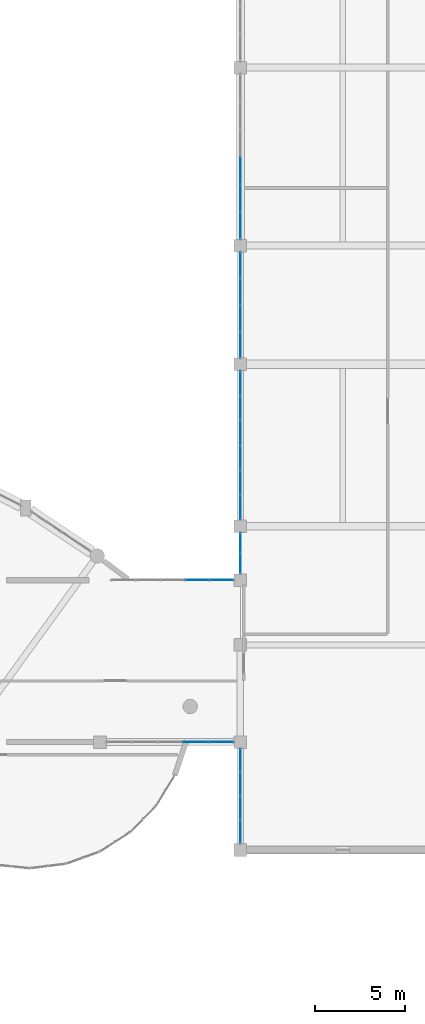
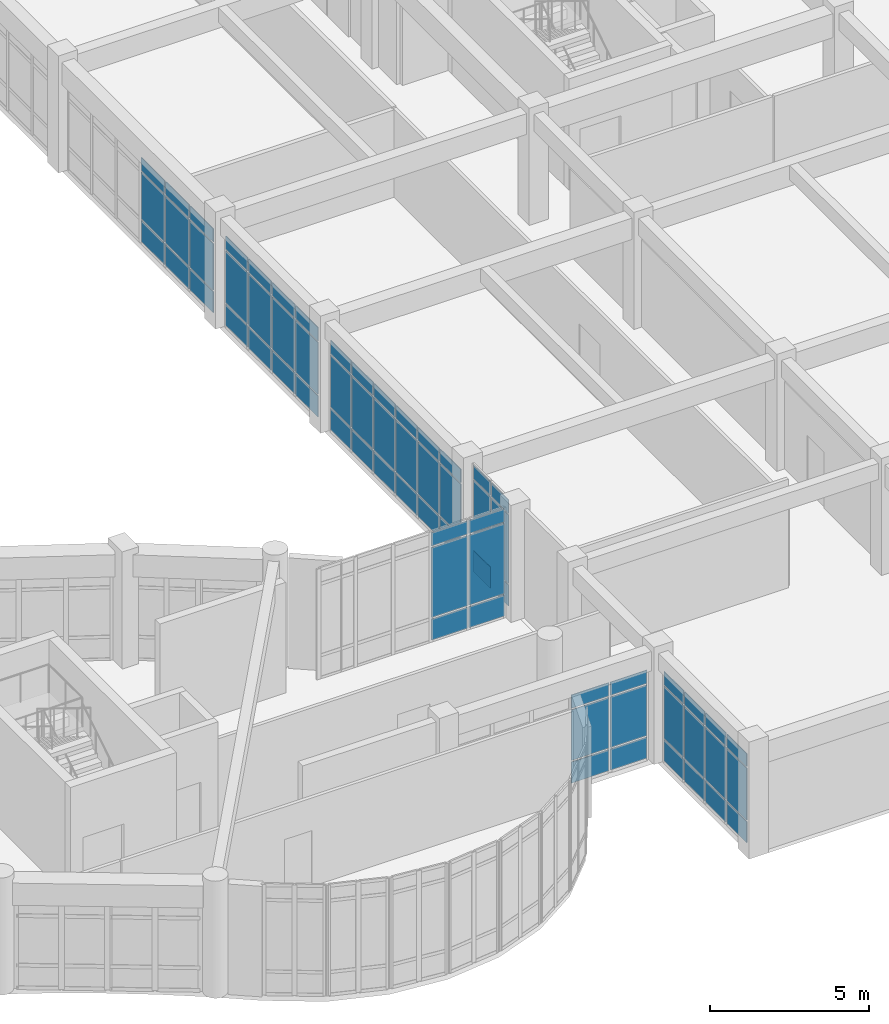
# One storey, part 40 of 57: 69 plates, 7 elements without a shape of their own.
"""IFC4 building model written with IfcOpenShell, lengths in metres."""

from ifc_helpers import new_model, si_unit, direction, frame, origin, origin_2d, place, context, subcontext, project, spatial, rectangle, extrude, material, layer, layer_set, type_object, element, aggregate, save


model = new_model("IFC4")

# Units and contexts
model_context = context("Model", 3, precision=1e-05, world=origin(), true_north=direction((0.0, 1.0)))
body_context = subcontext(model_context, "Body", "Model", "MODEL_VIEW")
ifc_project = project(units=[si_unit("LENGTHUNIT", "METRE"), si_unit("AREAUNIT", "SQUARE_METRE"), si_unit("VOLUMEUNIT", "CUBIC_METRE"), si_unit("PLANEANGLEUNIT", "RADIAN"), si_unit("MASSUNIT", "GRAM", prefix="KILO")], contexts=[model_context])

# Site, building, storey
site_placement = place(None, origin())
site = spatial("IfcSite", under=ifc_project, at=site_placement, CompositionType="ELEMENT")
building_placement = place(site_placement, origin())
building = spatial("IfcBuilding", under=site, at=building_placement, Name="Miralva Faculty of Natural Sciences", CompositionType="ELEMENT")
storey_placement = place(building_placement, frame((0.0, 0.0, 15.0)))
storey = spatial("IfcBuildingStorey", under=building, at=storey_placement, Name="L03", CompositionType="ELEMENT", Elevation=15.0)

# Curtain wall, plates
ifc_material = material(Name="Laminated solar-control glass", Category="glass")
ifc_layer_1 = layer(ifc_material, 0.179931640625, Name="CW-COM-L03")
ifc_layer_set_1 = layer_set([ifc_layer_1], Name="Laminated solar-control glass")
curtain_wall_type_1 = type_object("IfcCurtainWallType", Name="CW-COM-L03", PredefinedType="USERDEFINED", material=ifc_layer_set_1)
curtain_wall_1_placement = place(storey_placement, origin())
curtain_wall_1 = element("IfcCurtainWall", 1, at=curtain_wall_1_placement, inside=storey, type_object=curtain_wall_type_1, Name="Curtain wall CW-11 L03-275", ObjectType="UNITISED CURTAIN WALL", PredefinedType="USERDEFINED")
ifc_layer_2 = layer(ifc_material, 0.028076171875, Name="PNL-P01")
ifc_layer_set_2 = layer_set([ifc_layer_2], Name="Laminated solar-control glass")
plate_type = type_object("IfcPlateType", Name="PNL-P01", PredefinedType="CURTAIN_PANEL", material=ifc_layer_set_2)
plate_1_placement = place(storey_placement, frame((133.800048828125, 13.016357421875, 0.06005859375), z_axis=(0.0, 0.0, 1.0), x_axis=(0.0, 1.0, 0.0)))
plate_1 = element("IfcPlate", 2, at=plate_1_placement, type_object=plate_type, Name="CW-11 panel 1.1", PredefinedType="CURTAIN_PANEL", context=body_context, shape_type="SweptSolid", body=[
    extrude(rectangle(XDim=1.242431640625, YDim=0.028076171875, at=origin_2d()), origin(), (0.0, 0.0, 1.0), 0.81005859375),
])
plate_2_placement = place(storey_placement, frame((133.800048828125, 13.016357421875, 0.929931640625), z_axis=(0.0, 0.0, 1.0), x_axis=(0.0, 1.0, 0.0)))
plate_2 = element("IfcPlate", 3, at=plate_2_placement, type_object=plate_type, Name="CW-11 panel 1.2", PredefinedType="CURTAIN_PANEL", context=body_context, shape_type="SweptSolid", body=[
    extrude(rectangle(XDim=1.242431640625, YDim=0.028076171875, at=origin_2d()), origin(), (0.0, 0.0, 1.0), 1.9951171875),
])
plate_3_placement = place(storey_placement, frame((133.800048828125, 13.016357421875, 2.98486328125), z_axis=(0.0, 0.0, 1.0), x_axis=(0.0, 1.0, 0.0)))
plate_3 = element("IfcPlate", 4, at=plate_3_placement, type_object=plate_type, Name="CW-11 panel 1.3", PredefinedType="CURTAIN_PANEL", context=body_context, shape_type="SweptSolid", body=[
    extrude(rectangle(XDim=1.242431640625, YDim=0.028076171875, at=origin_2d()), origin(), (0.0, 0.0, 1.0), 0.510009765625),
])
plate_4_placement = place(storey_placement, frame((133.800048828125, 14.333740234375, 0.06005859375), z_axis=(0.0, 0.0, 1.0), x_axis=(0.0, 1.0, 0.0)))
plate_4 = element("IfcPlate", 5, at=plate_4_placement, type_object=plate_type, Name="CW-11 panel 2.1", PredefinedType="CURTAIN_PANEL", context=body_context, shape_type="SweptSolid", body=[
    extrude(rectangle(XDim=1.2724609375, YDim=0.028076171875, at=origin_2d()), origin(), (0.0, 0.0, 1.0), 0.81005859375),
])
plate_5_placement = place(storey_placement, frame((133.800048828125, 14.333740234375, 0.929931640625), z_axis=(0.0, 0.0, 1.0), x_axis=(0.0, 1.0, 0.0)))
plate_5 = element("IfcPlate", 6, at=plate_5_placement, type_object=plate_type, Name="CW-11 panel 2.2", PredefinedType="CURTAIN_PANEL", context=body_context, shape_type="SweptSolid", body=[
    extrude(rectangle(XDim=1.2724609375, YDim=0.028076171875, at=origin_2d()), origin(), (0.0, 0.0, 1.0), 1.9951171875),
])
plate_6_placement = place(storey_placement, frame((133.800048828125, 14.333740234375, 2.98486328125), z_axis=(0.0, 0.0, 1.0), x_axis=(0.0, 1.0, 0.0)))
plate_6 = element("IfcPlate", 7, at=plate_6_placement, type_object=plate_type, Name="CW-11 panel 2.3", PredefinedType="CURTAIN_PANEL", context=body_context, shape_type="SweptSolid", body=[
    extrude(rectangle(XDim=1.2724609375, YDim=0.028076171875, at=origin_2d()), origin(), (0.0, 0.0, 1.0), 0.510009765625),
])
plate_7_placement = place(storey_placement, frame((133.800048828125, 15.666259765625, 0.06005859375), z_axis=(0.0, 0.0, 1.0), x_axis=(0.0, 1.0, 0.0)))
plate_7 = element("IfcPlate", 8, at=plate_7_placement, type_object=plate_type, Name="CW-11 panel 3.1", PredefinedType="CURTAIN_PANEL", context=body_context, shape_type="SweptSolid", body=[
    extrude(rectangle(XDim=1.2724609375, YDim=0.028076171875, at=origin_2d()), origin(), (0.0, 0.0, 1.0), 0.81005859375),
])
plate_8_placement = place(storey_placement, frame((133.800048828125, 15.666259765625, 0.929931640625), z_axis=(0.0, 0.0, 1.0), x_axis=(0.0, 1.0, 0.0)))
plate_8 = element("IfcPlate", 9, at=plate_8_placement, type_object=plate_type, Name="CW-11 panel 3.2", PredefinedType="CURTAIN_PANEL", context=body_context, shape_type="SweptSolid", body=[
    extrude(rectangle(XDim=1.2724609375, YDim=0.028076171875, at=origin_2d()), origin(), (0.0, 0.0, 1.0), 1.9951171875),
])
plate_9_placement = place(storey_placement, frame((133.800048828125, 15.666259765625, 2.98486328125), z_axis=(0.0, 0.0, 1.0), x_axis=(0.0, 1.0, 0.0)))
plate_9 = element("IfcPlate", 10, at=plate_9_placement, type_object=plate_type, Name="CW-11 panel 3.3", PredefinedType="CURTAIN_PANEL", context=body_context, shape_type="SweptSolid", body=[
    extrude(rectangle(XDim=1.2724609375, YDim=0.028076171875, at=origin_2d()), origin(), (0.0, 0.0, 1.0), 0.510009765625),
])
plate_10_placement = place(storey_placement, frame((133.800048828125, 16.983642578125, 0.06005859375), z_axis=(0.0, 0.0, 1.0), x_axis=(0.0, 1.0, 0.0)))
plate_10 = element("IfcPlate", 11, at=plate_10_placement, type_object=plate_type, Name="CW-11 panel 4.1", PredefinedType="CURTAIN_PANEL", context=body_context, shape_type="SweptSolid", body=[
    extrude(rectangle(XDim=1.242431640625, YDim=0.028076171875, at=origin_2d()), origin(), (0.0, 0.0, 1.0), 0.81005859375),
])
plate_11_placement = place(storey_placement, frame((133.800048828125, 16.983642578125, 0.929931640625), z_axis=(0.0, 0.0, 1.0), x_axis=(0.0, 1.0, 0.0)))
plate_11 = element("IfcPlate", 12, at=plate_11_placement, type_object=plate_type, Name="CW-11 panel 4.2", PredefinedType="CURTAIN_PANEL", context=body_context, shape_type="SweptSolid", body=[
    extrude(rectangle(XDim=1.242431640625, YDim=0.028076171875, at=origin_2d()), origin(), (0.0, 0.0, 1.0), 1.9951171875),
])
plate_12_placement = place(storey_placement, frame((133.800048828125, 16.983642578125, 2.98486328125), z_axis=(0.0, 0.0, 1.0), x_axis=(0.0, 1.0, 0.0)))
plate_12 = element("IfcPlate", 13, at=plate_12_placement, type_object=plate_type, Name="CW-11 panel 4.3", PredefinedType="CURTAIN_PANEL", context=body_context, shape_type="SweptSolid", body=[
    extrude(rectangle(XDim=1.242431640625, YDim=0.028076171875, at=origin_2d()), origin(), (0.0, 0.0, 1.0), 0.510009765625),
])
aggregate(curtain_wall_1, [plate_1, plate_2, plate_3, plate_4, plate_5, plate_6, plate_7, plate_8, plate_9, plate_10, plate_11, plate_12])

curtain_wall_2_placement = place(storey_placement, origin())
curtain_wall_2 = element("IfcCurtainWall", 14, at=curtain_wall_2_placement, inside=storey, type_object=curtain_wall_type_1, Name="Curtain wall CW-11 L03-276", ObjectType="UNITISED CURTAIN WALL", PredefinedType="USERDEFINED")
plate_13_placement = place(storey_placement, frame((133.800048828125, 27.9326171875, 0.06005859375), z_axis=(0.0, 0.0, 1.0), x_axis=(0.0, 1.0, 0.0)))
plate_13 = element("IfcPlate", 15, at=plate_13_placement, type_object=plate_type, Name="CW-11 panel 1.1", PredefinedType="CURTAIN_PANEL", context=body_context, shape_type="SweptSolid", body=[
    extrude(rectangle(XDim=1.074951171875, YDim=0.028076171875, at=origin_2d()), origin(), (0.0, 0.0, 1.0), 0.81005859375),
])
plate_14_placement = place(storey_placement, frame((133.800048828125, 27.9326171875, 0.93017578125), z_axis=(0.0, 0.0, 1.0), x_axis=(0.0, 1.0, 0.0)))
plate_14 = element("IfcPlate", 16, at=plate_14_placement, type_object=plate_type, Name="CW-11 panel 1.2", PredefinedType="CURTAIN_PANEL", context=body_context, shape_type="SweptSolid", body=[
    extrude(rectangle(XDim=1.074951171875, YDim=0.028076171875, at=origin_2d()), origin(), (0.0, 0.0, 1.0), 2.639892578125),
])
plate_15_placement = place(storey_placement, frame((133.800048828125, 27.9326171875, 3.6298828125), z_axis=(0.0, 0.0, 1.0), x_axis=(0.0, 1.0, 0.0)))
plate_15 = element("IfcPlate", 17, at=plate_15_placement, type_object=plate_type, Name="CW-11 panel 1.3", PredefinedType="CURTAIN_PANEL", context=body_context, shape_type="SweptSolid", body=[
    extrude(rectangle(XDim=1.074951171875, YDim=0.028076171875, at=origin_2d()), origin(), (0.0, 0.0, 1.0), 0.510009765625),
])
plate_16_placement = place(storey_placement, frame((133.800048828125, 29.0673828125, 0.06005859375), z_axis=(0.0, 0.0, 1.0), x_axis=(0.0, 1.0, 0.0)))
plate_16 = element("IfcPlate", 18, at=plate_16_placement, type_object=plate_type, Name="CW-11 panel 2.1", PredefinedType="CURTAIN_PANEL", context=body_context, shape_type="SweptSolid", body=[
    extrude(rectangle(XDim=1.074951171875, YDim=0.028076171875, at=origin_2d()), origin(), (0.0, 0.0, 1.0), 0.81005859375),
])
plate_17_placement = place(storey_placement, frame((133.800048828125, 29.0673828125, 0.93017578125), z_axis=(0.0, 0.0, 1.0), x_axis=(0.0, 1.0, 0.0)))
plate_17 = element("IfcPlate", 19, at=plate_17_placement, type_object=plate_type, Name="CW-11 panel 2.2", PredefinedType="CURTAIN_PANEL", context=body_context, shape_type="SweptSolid", body=[
    extrude(rectangle(XDim=1.074951171875, YDim=0.028076171875, at=origin_2d()), origin(), (0.0, 0.0, 1.0), 2.639892578125),
])
plate_18_placement = place(storey_placement, frame((133.800048828125, 29.0673828125, 3.6298828125), z_axis=(0.0, 0.0, 1.0), x_axis=(0.0, 1.0, 0.0)))
plate_18 = element("IfcPlate", 20, at=plate_18_placement, type_object=plate_type, Name="CW-11 panel 2.3", PredefinedType="CURTAIN_PANEL", context=body_context, shape_type="SweptSolid", body=[
    extrude(rectangle(XDim=1.074951171875, YDim=0.028076171875, at=origin_2d()), origin(), (0.0, 0.0, 1.0), 0.510009765625),
])
aggregate(curtain_wall_2, [plate_13, plate_14, plate_15, plate_16, plate_17, plate_18])

curtain_wall_3_placement = place(storey_placement, origin())
curtain_wall_3 = element("IfcCurtainWall", 21, at=curtain_wall_3_placement, inside=storey, type_object=curtain_wall_type_1, Name="Curtain wall CW-11 L03-277", ObjectType="UNITISED CURTAIN WALL", PredefinedType="USERDEFINED")
plate_19_placement = place(storey_placement, frame((133.800048828125, 31.044189453125, 0.06005859375), z_axis=(0.0, 0.0, 1.0), x_axis=(0.0, 1.0, 0.0)))
plate_19 = element("IfcPlate", 22, at=plate_19_placement, type_object=plate_type, Name="CW-11 panel 1.1", PredefinedType="CURTAIN_PANEL", context=body_context, shape_type="SweptSolid", body=[
    extrude(rectangle(XDim=1.29833984375, YDim=0.028076171875, at=origin_2d()), origin(), (0.0, 0.0, 1.0), 0.81005859375),
])
plate_20_placement = place(storey_placement, frame((133.800048828125, 31.044189453125, 0.929931640625), z_axis=(0.0, 0.0, 1.0), x_axis=(0.0, 1.0, 0.0)))
plate_20 = element("IfcPlate", 23, at=plate_20_placement, type_object=plate_type, Name="CW-11 panel 1.2", PredefinedType="CURTAIN_PANEL", context=body_context, shape_type="SweptSolid", body=[
    extrude(rectangle(XDim=1.29833984375, YDim=0.028076171875, at=origin_2d()), origin(), (0.0, 0.0, 1.0), 1.9951171875),
])
plate_21_placement = place(storey_placement, frame((133.800048828125, 31.044189453125, 2.98486328125), z_axis=(0.0, 0.0, 1.0), x_axis=(0.0, 1.0, 0.0)))
plate_21 = element("IfcPlate", 24, at=plate_21_placement, type_object=plate_type, Name="CW-11 panel 1.3", PredefinedType="CURTAIN_PANEL", context=body_context, shape_type="SweptSolid", body=[
    extrude(rectangle(XDim=1.29833984375, YDim=0.028076171875, at=origin_2d()), origin(), (0.0, 0.0, 1.0), 0.510009765625),
])
plate_22_placement = place(storey_placement, frame((133.800048828125, 32.41748046875, 0.06005859375), z_axis=(0.0, 0.0, 1.0), x_axis=(0.0, 1.0, 0.0)))
plate_22 = element("IfcPlate", 25, at=plate_22_placement, type_object=plate_type, Name="CW-11 panel 2.1", PredefinedType="CURTAIN_PANEL", context=body_context, shape_type="SweptSolid", body=[
    extrude(rectangle(XDim=1.328369140625, YDim=0.028076171875, at=origin_2d()), origin(), (0.0, 0.0, 1.0), 0.81005859375),
])
plate_23_placement = place(storey_placement, frame((133.800048828125, 32.41748046875, 0.929931640625), z_axis=(0.0, 0.0, 1.0), x_axis=(0.0, 1.0, 0.0)))
plate_23 = element("IfcPlate", 26, at=plate_23_placement, type_object=plate_type, Name="CW-11 panel 2.2", PredefinedType="CURTAIN_PANEL", context=body_context, shape_type="SweptSolid", body=[
    extrude(rectangle(XDim=1.328369140625, YDim=0.028076171875, at=origin_2d()), origin(), (0.0, 0.0, 1.0), 1.9951171875),
])
plate_24_placement = place(storey_placement, frame((133.800048828125, 32.41748046875, 2.98486328125), z_axis=(0.0, 0.0, 1.0), x_axis=(0.0, 1.0, 0.0)))
plate_24 = element("IfcPlate", 27, at=plate_24_placement, type_object=plate_type, Name="CW-11 panel 2.3", PredefinedType="CURTAIN_PANEL", context=body_context, shape_type="SweptSolid", body=[
    extrude(rectangle(XDim=1.328369140625, YDim=0.028076171875, at=origin_2d()), origin(), (0.0, 0.0, 1.0), 0.510009765625),
])
plate_25_placement = place(storey_placement, frame((133.800048828125, 33.805908203125, 0.06005859375), z_axis=(0.0, 0.0, 1.0), x_axis=(0.0, 1.0, 0.0)))
plate_25 = element("IfcPlate", 28, at=plate_25_placement, type_object=plate_type, Name="CW-11 panel 3.1", PredefinedType="CURTAIN_PANEL", context=body_context, shape_type="SweptSolid", body=[
    extrude(rectangle(XDim=1.328369140625, YDim=0.028076171875, at=origin_2d()), origin(), (0.0, 0.0, 1.0), 0.81005859375),
])
plate_26_placement = place(storey_placement, frame((133.800048828125, 33.805908203125, 0.929931640625), z_axis=(0.0, 0.0, 1.0), x_axis=(0.0, 1.0, 0.0)))
plate_26 = element("IfcPlate", 29, at=plate_26_placement, type_object=plate_type, Name="CW-11 panel 3.2", PredefinedType="CURTAIN_PANEL", context=body_context, shape_type="SweptSolid", body=[
    extrude(rectangle(XDim=1.328369140625, YDim=0.028076171875, at=origin_2d()), origin(), (0.0, 0.0, 1.0), 1.9951171875),
])
plate_27_placement = place(storey_placement, frame((133.800048828125, 33.805908203125, 2.98486328125), z_axis=(0.0, 0.0, 1.0), x_axis=(0.0, 1.0, 0.0)))
plate_27 = element("IfcPlate", 30, at=plate_27_placement, type_object=plate_type, Name="CW-11 panel 3.3", PredefinedType="CURTAIN_PANEL", context=body_context, shape_type="SweptSolid", body=[
    extrude(rectangle(XDim=1.328369140625, YDim=0.028076171875, at=origin_2d()), origin(), (0.0, 0.0, 1.0), 0.510009765625),
])
plate_28_placement = place(storey_placement, frame((133.800048828125, 35.194091796875, 0.06005859375), z_axis=(0.0, 0.0, 1.0), x_axis=(0.0, 1.0, 0.0)))
plate_28 = element("IfcPlate", 31, at=plate_28_placement, type_object=plate_type, Name="CW-11 panel 4.1", PredefinedType="CURTAIN_PANEL", context=body_context, shape_type="SweptSolid", body=[
    extrude(rectangle(XDim=1.328369140625, YDim=0.028076171875, at=origin_2d()), origin(), (0.0, 0.0, 1.0), 0.81005859375),
])
plate_29_placement = place(storey_placement, frame((133.800048828125, 35.194091796875, 0.929931640625), z_axis=(0.0, 0.0, 1.0), x_axis=(0.0, 1.0, 0.0)))
plate_29 = element("IfcPlate", 32, at=plate_29_placement, type_object=plate_type, Name="CW-11 panel 4.2", PredefinedType="CURTAIN_PANEL", context=body_context, shape_type="SweptSolid", body=[
    extrude(rectangle(XDim=1.328369140625, YDim=0.028076171875, at=origin_2d()), origin(), (0.0, 0.0, 1.0), 1.9951171875),
])
plate_30_placement = place(storey_placement, frame((133.800048828125, 35.194091796875, 2.98486328125), z_axis=(0.0, 0.0, 1.0), x_axis=(0.0, 1.0, 0.0)))
plate_30 = element("IfcPlate", 33, at=plate_30_placement, type_object=plate_type, Name="CW-11 panel 4.3", PredefinedType="CURTAIN_PANEL", context=body_context, shape_type="SweptSolid", body=[
    extrude(rectangle(XDim=1.328369140625, YDim=0.028076171875, at=origin_2d()), origin(), (0.0, 0.0, 1.0), 0.510009765625),
])
plate_31_placement = place(storey_placement, frame((133.800048828125, 36.58251953125, 0.06005859375), z_axis=(0.0, 0.0, 1.0), x_axis=(0.0, 1.0, 0.0)))
plate_31 = element("IfcPlate", 34, at=plate_31_placement, type_object=plate_type, Name="CW-11 panel 5.1", PredefinedType="CURTAIN_PANEL", context=body_context, shape_type="SweptSolid", body=[
    extrude(rectangle(XDim=1.328369140625, YDim=0.028076171875, at=origin_2d()), origin(), (0.0, 0.0, 1.0), 0.81005859375),
])
plate_32_placement = place(storey_placement, frame((133.800048828125, 36.58251953125, 0.929931640625), z_axis=(0.0, 0.0, 1.0), x_axis=(0.0, 1.0, 0.0)))
plate_32 = element("IfcPlate", 35, at=plate_32_placement, type_object=plate_type, Name="CW-11 panel 5.2", PredefinedType="CURTAIN_PANEL", context=body_context, shape_type="SweptSolid", body=[
    extrude(rectangle(XDim=1.328369140625, YDim=0.028076171875, at=origin_2d()), origin(), (0.0, 0.0, 1.0), 1.9951171875),
])
plate_33_placement = place(storey_placement, frame((133.800048828125, 36.58251953125, 2.98486328125), z_axis=(0.0, 0.0, 1.0), x_axis=(0.0, 1.0, 0.0)))
plate_33 = element("IfcPlate", 36, at=plate_33_placement, type_object=plate_type, Name="CW-11 panel 5.3", PredefinedType="CURTAIN_PANEL", context=body_context, shape_type="SweptSolid", body=[
    extrude(rectangle(XDim=1.328369140625, YDim=0.028076171875, at=origin_2d()), origin(), (0.0, 0.0, 1.0), 0.510009765625),
])
plate_34_placement = place(storey_placement, frame((133.800048828125, 37.955810546875, 0.06005859375), z_axis=(0.0, 0.0, 1.0), x_axis=(0.0, 1.0, 0.0)))
plate_34 = element("IfcPlate", 37, at=plate_34_placement, type_object=plate_type, Name="CW-11 panel 6.1", PredefinedType="CURTAIN_PANEL", context=body_context, shape_type="SweptSolid", body=[
    extrude(rectangle(XDim=1.29833984375, YDim=0.028076171875, at=origin_2d()), origin(), (0.0, 0.0, 1.0), 0.81005859375),
])
plate_35_placement = place(storey_placement, frame((133.800048828125, 37.955810546875, 0.929931640625), z_axis=(0.0, 0.0, 1.0), x_axis=(0.0, 1.0, 0.0)))
plate_35 = element("IfcPlate", 38, at=plate_35_placement, type_object=plate_type, Name="CW-11 panel 6.2", PredefinedType="CURTAIN_PANEL", context=body_context, shape_type="SweptSolid", body=[
    extrude(rectangle(XDim=1.29833984375, YDim=0.028076171875, at=origin_2d()), origin(), (0.0, 0.0, 1.0), 1.9951171875),
])
plate_36_placement = place(storey_placement, frame((133.800048828125, 37.955810546875, 2.98486328125), z_axis=(0.0, 0.0, 1.0), x_axis=(0.0, 1.0, 0.0)))
plate_36 = element("IfcPlate", 39, at=plate_36_placement, type_object=plate_type, Name="CW-11 panel 6.3", PredefinedType="CURTAIN_PANEL", context=body_context, shape_type="SweptSolid", body=[
    extrude(rectangle(XDim=1.29833984375, YDim=0.028076171875, at=origin_2d()), origin(), (0.0, 0.0, 1.0), 0.510009765625),
])
aggregate(curtain_wall_3, [plate_19, plate_20, plate_21, plate_22, plate_23, plate_24, plate_25, plate_26, plate_27, plate_28, plate_29, plate_30, plate_31, plate_32, plate_33, plate_34, plate_35, plate_36])

curtain_wall_4_placement = place(storey_placement, origin())
curtain_wall_4 = element("IfcCurtainWall", 40, at=curtain_wall_4_placement, inside=storey, type_object=curtain_wall_type_1, Name="Curtain wall CW-11 L03-278", ObjectType="UNITISED CURTAIN WALL", PredefinedType="USERDEFINED")
plate_37_placement = place(storey_placement, frame((133.800048828125, 40.09130859375, 0.06005859375), z_axis=(0.0, 0.0, 1.0), x_axis=(0.0, 1.0, 0.0)))
plate_37 = element("IfcPlate", 41, at=plate_37_placement, type_object=plate_type, Name="CW-11 panel 1.1", PredefinedType="CURTAIN_PANEL", context=body_context, shape_type="SweptSolid", body=[
    extrude(rectangle(XDim=1.392578125, YDim=0.028076171875, at=origin_2d()), origin(), (0.0, 0.0, 1.0), 0.81005859375),
])
plate_38_placement = place(storey_placement, frame((133.800048828125, 40.09130859375, 0.929931640625), z_axis=(0.0, 0.0, 1.0), x_axis=(0.0, 1.0, 0.0)))
plate_38 = element("IfcPlate", 42, at=plate_38_placement, type_object=plate_type, Name="CW-11 panel 1.2", PredefinedType="CURTAIN_PANEL", context=body_context, shape_type="SweptSolid", body=[
    extrude(rectangle(XDim=1.392578125, YDim=0.028076171875, at=origin_2d()), origin(), (0.0, 0.0, 1.0), 1.9951171875),
])
plate_39_placement = place(storey_placement, frame((133.800048828125, 40.09130859375, 2.98486328125), z_axis=(0.0, 0.0, 1.0), x_axis=(0.0, 1.0, 0.0)))
plate_39 = element("IfcPlate", 43, at=plate_39_placement, type_object=plate_type, Name="CW-11 panel 1.3", PredefinedType="CURTAIN_PANEL", context=body_context, shape_type="SweptSolid", body=[
    extrude(rectangle(XDim=1.392578125, YDim=0.028076171875, at=origin_2d()), origin(), (0.0, 0.0, 1.0), 0.510009765625),
])
plate_40_placement = place(storey_placement, frame((133.800048828125, 41.558837890625, 0.06005859375), z_axis=(0.0, 0.0, 1.0), x_axis=(0.0, 1.0, 0.0)))
plate_40 = element("IfcPlate", 44, at=plate_40_placement, type_object=plate_type, Name="CW-11 panel 2.1", PredefinedType="CURTAIN_PANEL", context=body_context, shape_type="SweptSolid", body=[
    extrude(rectangle(XDim=1.422607421875, YDim=0.028076171875, at=origin_2d()), origin(), (0.0, 0.0, 1.0), 0.81005859375),
])
plate_41_placement = place(storey_placement, frame((133.800048828125, 41.558837890625, 0.929931640625), z_axis=(0.0, 0.0, 1.0), x_axis=(0.0, 1.0, 0.0)))
plate_41 = element("IfcPlate", 45, at=plate_41_placement, type_object=plate_type, Name="CW-11 panel 2.2", PredefinedType="CURTAIN_PANEL", context=body_context, shape_type="SweptSolid", body=[
    extrude(rectangle(XDim=1.422607421875, YDim=0.028076171875, at=origin_2d()), origin(), (0.0, 0.0, 1.0), 1.9951171875),
])
plate_42_placement = place(storey_placement, frame((133.800048828125, 41.558837890625, 2.98486328125), z_axis=(0.0, 0.0, 1.0), x_axis=(0.0, 1.0, 0.0)))
plate_42 = element("IfcPlate", 46, at=plate_42_placement, type_object=plate_type, Name="CW-11 panel 2.3", PredefinedType="CURTAIN_PANEL", context=body_context, shape_type="SweptSolid", body=[
    extrude(rectangle(XDim=1.422607421875, YDim=0.028076171875, at=origin_2d()), origin(), (0.0, 0.0, 1.0), 0.510009765625),
])
plate_43_placement = place(storey_placement, frame((133.800048828125, 43.041259765625, 0.06005859375), z_axis=(0.0, 0.0, 1.0), x_axis=(0.0, 1.0, 0.0)))
plate_43 = element("IfcPlate", 47, at=plate_43_placement, type_object=plate_type, Name="CW-11 panel 3.1", PredefinedType="CURTAIN_PANEL", context=body_context, shape_type="SweptSolid", body=[
    extrude(rectangle(XDim=1.422607421875, YDim=0.028076171875, at=origin_2d()), origin(), (0.0, 0.0, 1.0), 0.81005859375),
])
plate_44_placement = place(storey_placement, frame((133.800048828125, 43.041259765625, 0.929931640625), z_axis=(0.0, 0.0, 1.0), x_axis=(0.0, 1.0, 0.0)))
plate_44 = element("IfcPlate", 48, at=plate_44_placement, type_object=plate_type, Name="CW-11 panel 3.2", PredefinedType="CURTAIN_PANEL", context=body_context, shape_type="SweptSolid", body=[
    extrude(rectangle(XDim=1.422607421875, YDim=0.028076171875, at=origin_2d()), origin(), (0.0, 0.0, 1.0), 1.9951171875),
])
plate_45_placement = place(storey_placement, frame((133.800048828125, 43.041259765625, 2.98486328125), z_axis=(0.0, 0.0, 1.0), x_axis=(0.0, 1.0, 0.0)))
plate_45 = element("IfcPlate", 49, at=plate_45_placement, type_object=plate_type, Name="CW-11 panel 3.3", PredefinedType="CURTAIN_PANEL", context=body_context, shape_type="SweptSolid", body=[
    extrude(rectangle(XDim=1.422607421875, YDim=0.028076171875, at=origin_2d()), origin(), (0.0, 0.0, 1.0), 0.510009765625),
])
plate_46_placement = place(storey_placement, frame((133.800048828125, 44.5087890625, 0.06005859375), z_axis=(0.0, 0.0, 1.0), x_axis=(0.0, 1.0, 0.0)))
plate_46 = element("IfcPlate", 50, at=plate_46_placement, type_object=plate_type, Name="CW-11 panel 4.1", PredefinedType="CURTAIN_PANEL", context=body_context, shape_type="SweptSolid", body=[
    extrude(rectangle(XDim=1.392578125, YDim=0.028076171875, at=origin_2d()), origin(), (0.0, 0.0, 1.0), 0.81005859375),
])
plate_47_placement = place(storey_placement, frame((133.800048828125, 44.5087890625, 0.929931640625), z_axis=(0.0, 0.0, 1.0), x_axis=(0.0, 1.0, 0.0)))
plate_47 = element("IfcPlate", 51, at=plate_47_placement, type_object=plate_type, Name="CW-11 panel 4.2", PredefinedType="CURTAIN_PANEL", context=body_context, shape_type="SweptSolid", body=[
    extrude(rectangle(XDim=1.392578125, YDim=0.028076171875, at=origin_2d()), origin(), (0.0, 0.0, 1.0), 1.9951171875),
])
plate_48_placement = place(storey_placement, frame((133.800048828125, 44.5087890625, 2.98486328125), z_axis=(0.0, 0.0, 1.0), x_axis=(0.0, 1.0, 0.0)))
plate_48 = element("IfcPlate", 52, at=plate_48_placement, type_object=plate_type, Name="CW-11 panel 4.3", PredefinedType="CURTAIN_PANEL", context=body_context, shape_type="SweptSolid", body=[
    extrude(rectangle(XDim=1.392578125, YDim=0.028076171875, at=origin_2d()), origin(), (0.0, 0.0, 1.0), 0.510009765625),
])
aggregate(curtain_wall_4, [plate_37, plate_38, plate_39, plate_40, plate_41, plate_42, plate_43, plate_44, plate_45, plate_46, plate_47, plate_48])

curtain_wall_5_placement = place(storey_placement, origin())
curtain_wall_5 = element("IfcCurtainWall", 53, at=curtain_wall_5_placement, inside=storey, type_object=curtain_wall_type_1, Name="Curtain wall CW-11 L03-279", ObjectType="UNITISED CURTAIN WALL", PredefinedType="USERDEFINED")
plate_49_placement = place(storey_placement, frame((133.800048828125, 46.71923828125, 0.06005859375), z_axis=(0.0, 0.0, 1.0), x_axis=(0.0, 1.0, 0.0)))
plate_49 = element("IfcPlate", 54, at=plate_49_placement, type_object=plate_type, Name="CW-11 panel 1.1", PredefinedType="CURTAIN_PANEL", context=body_context, shape_type="SweptSolid", body=[
    extrude(rectangle(XDim=1.4482421875, YDim=0.028076171875, at=origin_2d()), origin(), (0.0, 0.0, 1.0), 0.81005859375),
])
plate_50_placement = place(storey_placement, frame((133.800048828125, 46.71923828125, 0.929931640625), z_axis=(0.0, 0.0, 1.0), x_axis=(0.0, 1.0, 0.0)))
plate_50 = element("IfcPlate", 55, at=plate_50_placement, type_object=plate_type, Name="CW-11 panel 1.2", PredefinedType="CURTAIN_PANEL", context=body_context, shape_type="SweptSolid", body=[
    extrude(rectangle(XDim=1.4482421875, YDim=0.028076171875, at=origin_2d()), origin(), (0.0, 0.0, 1.0), 1.794921875),
])
plate_51_placement = place(storey_placement, frame((133.800048828125, 46.71923828125, 2.78515625), z_axis=(0.0, 0.0, 1.0), x_axis=(0.0, 1.0, 0.0)))
plate_51 = element("IfcPlate", 56, at=plate_51_placement, type_object=plate_type, Name="CW-11 panel 1.3", PredefinedType="CURTAIN_PANEL", context=body_context, shape_type="SweptSolid", body=[
    extrude(rectangle(XDim=1.4482421875, YDim=0.028076171875, at=origin_2d()), origin(), (0.0, 0.0, 1.0), 0.510009765625),
])
plate_52_placement = place(storey_placement, frame((133.800048828125, 48.242431640625, 0.06005859375), z_axis=(0.0, 0.0, 1.0), x_axis=(0.0, 1.0, 0.0)))
plate_52 = element("IfcPlate", 57, at=plate_52_placement, type_object=plate_type, Name="CW-11 panel 2.1", PredefinedType="CURTAIN_PANEL", context=body_context, shape_type="SweptSolid", body=[
    extrude(rectangle(XDim=1.478271484375, YDim=0.028076171875, at=origin_2d()), origin(), (0.0, 0.0, 1.0), 0.81005859375),
])
plate_53_placement = place(storey_placement, frame((133.800048828125, 48.242431640625, 0.929931640625), z_axis=(0.0, 0.0, 1.0), x_axis=(0.0, 1.0, 0.0)))
plate_53 = element("IfcPlate", 58, at=plate_53_placement, type_object=plate_type, Name="CW-11 panel 2.2", PredefinedType="CURTAIN_PANEL", context=body_context, shape_type="SweptSolid", body=[
    extrude(rectangle(XDim=1.478271484375, YDim=0.028076171875, at=origin_2d()), origin(), (0.0, 0.0, 1.0), 1.794921875),
])
plate_54_placement = place(storey_placement, frame((133.800048828125, 48.242431640625, 2.78515625), z_axis=(0.0, 0.0, 1.0), x_axis=(0.0, 1.0, 0.0)))
plate_54 = element("IfcPlate", 59, at=plate_54_placement, type_object=plate_type, Name="CW-11 panel 2.3", PredefinedType="CURTAIN_PANEL", context=body_context, shape_type="SweptSolid", body=[
    extrude(rectangle(XDim=1.478271484375, YDim=0.028076171875, at=origin_2d()), origin(), (0.0, 0.0, 1.0), 0.510009765625),
])
plate_55_placement = place(storey_placement, frame((133.800048828125, 49.78076171875, 0.06005859375), z_axis=(0.0, 0.0, 1.0), x_axis=(0.0, 1.0, 0.0)))
plate_55 = element("IfcPlate", 60, at=plate_55_placement, type_object=plate_type, Name="CW-11 panel 3.1", PredefinedType="CURTAIN_PANEL", context=body_context, shape_type="SweptSolid", body=[
    extrude(rectangle(XDim=1.478271484375, YDim=0.028076171875, at=origin_2d()), origin(), (0.0, 0.0, 1.0), 0.81005859375),
])
plate_56_placement = place(storey_placement, frame((133.800048828125, 49.78076171875, 0.929931640625), z_axis=(0.0, 0.0, 1.0), x_axis=(0.0, 1.0, 0.0)))
plate_56 = element("IfcPlate", 61, at=plate_56_placement, type_object=plate_type, Name="CW-11 panel 3.2", PredefinedType="CURTAIN_PANEL", context=body_context, shape_type="SweptSolid", body=[
    extrude(rectangle(XDim=1.478271484375, YDim=0.028076171875, at=origin_2d()), origin(), (0.0, 0.0, 1.0), 1.794921875),
])
plate_57_placement = place(storey_placement, frame((133.800048828125, 49.78076171875, 2.78515625), z_axis=(0.0, 0.0, 1.0), x_axis=(0.0, 1.0, 0.0)))
plate_57 = element("IfcPlate", 62, at=plate_57_placement, type_object=plate_type, Name="CW-11 panel 3.3", PredefinedType="CURTAIN_PANEL", context=body_context, shape_type="SweptSolid", body=[
    extrude(rectangle(XDim=1.478271484375, YDim=0.028076171875, at=origin_2d()), origin(), (0.0, 0.0, 1.0), 0.510009765625),
])
aggregate(curtain_wall_5, [plate_49, plate_50, plate_51, plate_52, plate_53, plate_54, plate_55, plate_56, plate_57])

ifc_layer_3 = layer(ifc_material, 0.179931640625, Name="CW-COM-L01")
ifc_layer_set_3 = layer_set([ifc_layer_3], Name="Laminated solar-control glass")
curtain_wall_type_2 = type_object("IfcCurtainWallType", Name="CW-COM-L01", PredefinedType="USERDEFINED", material=ifc_layer_set_3)
curtain_wall_6_placement = place(storey_placement, origin())
curtain_wall_6 = element("IfcCurtainWall", 63, at=curtain_wall_6_placement, inside=storey, type_object=curtain_wall_type_2, Name="Curtain wall CW-10 L03-302", ObjectType="UNITISED CURTAIN WALL", PredefinedType="USERDEFINED")
plate_58_placement = place(storey_placement, frame((131.325927734375, 18.0, 0.06005859375), z_axis=(0.0, 0.0, 1.0), x_axis=(1.0, 0.0, 0.0)))
plate_58 = element("IfcPlate", 64, at=plate_58_placement, type_object=plate_type, Name="CW-10 panel 4.1", PredefinedType="CURTAIN_PANEL", context=body_context, shape_type="SweptSolid", body=[
    extrude(rectangle(XDim=1.365966796875, YDim=0.028076171875, at=origin_2d()), origin(), (0.0, 0.0, 1.0), 0.81005859375),
])
plate_59_placement = place(storey_placement, frame((131.325927734375, 18.0, 0.93017578125), z_axis=(0.0, 0.0, 1.0), x_axis=(1.0, 0.0, 0.0)))
plate_59 = element("IfcPlate", 65, at=plate_59_placement, type_object=plate_type, Name="CW-10 panel 4.2", PredefinedType="CURTAIN_PANEL", context=body_context, shape_type="SweptSolid", body=[
    extrude(rectangle(XDim=1.365966796875, YDim=0.028076171875, at=origin_2d()), origin(), (0.0, 0.0, 1.0), 1.945068359375),
])
plate_60_placement = place(storey_placement, frame((131.325927734375, 18.0, 2.93505859375), z_axis=(0.0, 0.0, 1.0), x_axis=(1.0, 0.0, 0.0)))
plate_60 = element("IfcPlate", 66, at=plate_60_placement, type_object=plate_type, Name="CW-10 panel 4.3", PredefinedType="CURTAIN_PANEL", context=body_context, shape_type="SweptSolid", body=[
    extrude(rectangle(XDim=1.365966796875, YDim=0.028076171875, at=origin_2d()), origin(), (0.0, 0.0, 1.0), 0.510009765625),
])
plate_61_placement = place(storey_placement, frame((132.737060546875, 18.0, 0.06005859375), z_axis=(0.0, 0.0, 1.0), x_axis=(1.0, 0.0, 0.0)))
plate_61 = element("IfcPlate", 67, at=plate_61_placement, type_object=plate_type, Name="CW-10 panel 5.1", PredefinedType="CURTAIN_PANEL", context=body_context, shape_type="SweptSolid", body=[
    extrude(rectangle(XDim=1.3359375, YDim=0.028076171875, at=origin_2d()), origin(), (0.0, 0.0, 1.0), 0.81005859375),
])
plate_62_placement = place(storey_placement, frame((132.737060546875, 18.0, 0.93017578125), z_axis=(0.0, 0.0, 1.0), x_axis=(1.0, 0.0, 0.0)))
plate_62 = element("IfcPlate", 68, at=plate_62_placement, type_object=plate_type, Name="CW-10 panel 5.2", PredefinedType="CURTAIN_PANEL", context=body_context, shape_type="SweptSolid", body=[
    extrude(rectangle(XDim=1.3359375, YDim=0.028076171875, at=origin_2d()), origin(), (0.0, 0.0, 1.0), 1.945068359375),
])
plate_63_placement = place(storey_placement, frame((132.737060546875, 18.0, 2.93505859375), z_axis=(0.0, 0.0, 1.0), x_axis=(1.0, 0.0, 0.0)))
plate_63 = element("IfcPlate", 69, at=plate_63_placement, type_object=plate_type, Name="CW-10 panel 5.3", PredefinedType="CURTAIN_PANEL", context=body_context, shape_type="SweptSolid", body=[
    extrude(rectangle(XDim=1.3359375, YDim=0.028076171875, at=origin_2d()), origin(), (0.0, 0.0, 1.0), 0.510009765625),
])
aggregate(curtain_wall_6, [plate_58, plate_59, plate_60, plate_61, plate_62, plate_63])

curtain_wall_7_placement = place(storey_placement, origin())
curtain_wall_7 = element("IfcCurtainWall", 70, at=curtain_wall_7_placement, inside=storey, type_object=curtain_wall_type_2, Name="Curtain wall CW-10 L03-305", ObjectType="UNITISED CURTAIN WALL", PredefinedType="USERDEFINED")
plate_64_placement = place(storey_placement, frame((131.41162109375, 27.0, 0.06005859375), z_axis=(0.0, 0.0, 1.0), x_axis=(1.0, 0.0, 0.0)))
plate_64 = element("IfcPlate", 71, at=plate_64_placement, type_object=plate_type, Name="CW-10 panel 4.1", PredefinedType="CURTAIN_PANEL", context=body_context, shape_type="SweptSolid", body=[
    extrude(rectangle(XDim=1.30908203125, YDim=0.028076171875, at=origin_2d()), origin(), (0.0, 0.0, 1.0), 0.81005859375),
])
plate_65_placement = place(storey_placement, frame((131.41162109375, 27.0, 0.929931640625), z_axis=(0.0, 0.0, 1.0), x_axis=(1.0, 0.0, 0.0)))
plate_65 = element("IfcPlate", 72, at=plate_65_placement, type_object=plate_type, Name="CW-10 panel 4.2", PredefinedType="CURTAIN_PANEL", context=body_context, shape_type="SweptSolid", body=[
    extrude(rectangle(XDim=1.30908203125, YDim=0.028076171875, at=origin_2d()), origin(), (0.0, 0.0, 1.0), 2.68994140625),
])
plate_66_placement = place(storey_placement, frame((131.41162109375, 27.0, 3.68017578125), z_axis=(0.0, 0.0, 1.0), x_axis=(1.0, 0.0, 0.0)))
plate_66 = element("IfcPlate", 73, at=plate_66_placement, type_object=plate_type, Name="CW-10 panel 4.3", PredefinedType="CURTAIN_PANEL", context=body_context, shape_type="SweptSolid", body=[
    extrude(rectangle(XDim=1.30908203125, YDim=0.028076171875, at=origin_2d()), origin(), (0.0, 0.0, 1.0), 0.510009765625),
])
plate_67_placement = place(storey_placement, frame((132.765380859375, 27.0, 0.06005859375), z_axis=(0.0, 0.0, 1.0), x_axis=(1.0, 0.0, 0.0)))
plate_67 = element("IfcPlate", 74, at=plate_67_placement, type_object=plate_type, Name="CW-10 panel 5.1", PredefinedType="CURTAIN_PANEL", context=body_context, shape_type="SweptSolid", body=[
    extrude(rectangle(XDim=1.279052734375, YDim=0.028076171875, at=origin_2d()), origin(), (0.0, 0.0, 1.0), 0.81005859375),
])
plate_68_placement = place(storey_placement, frame((132.765380859375, 27.0, 0.929931640625), z_axis=(0.0, 0.0, 1.0), x_axis=(1.0, 0.0, 0.0)))
plate_68 = element("IfcPlate", 75, at=plate_68_placement, type_object=plate_type, Name="CW-10 panel 5.2", PredefinedType="CURTAIN_PANEL", context=body_context, shape_type="SweptSolid", body=[
    extrude(rectangle(XDim=1.279052734375, YDim=0.028076171875, at=origin_2d()), origin(), (0.0, 0.0, 1.0), 2.68994140625),
])
plate_69_placement = place(storey_placement, frame((132.765380859375, 27.0, 3.68017578125), z_axis=(0.0, 0.0, 1.0), x_axis=(1.0, 0.0, 0.0)))
plate_69 = element("IfcPlate", 76, at=plate_69_placement, type_object=plate_type, Name="CW-10 panel 5.3", PredefinedType="CURTAIN_PANEL", context=body_context, shape_type="SweptSolid", body=[
    extrude(rectangle(XDim=1.279052734375, YDim=0.028076171875, at=origin_2d()), origin(), (0.0, 0.0, 1.0), 0.510009765625),
])
aggregate(curtain_wall_7, [plate_64, plate_65, plate_66, plate_67, plate_68, plate_69])

save(model, "model.ifc")
